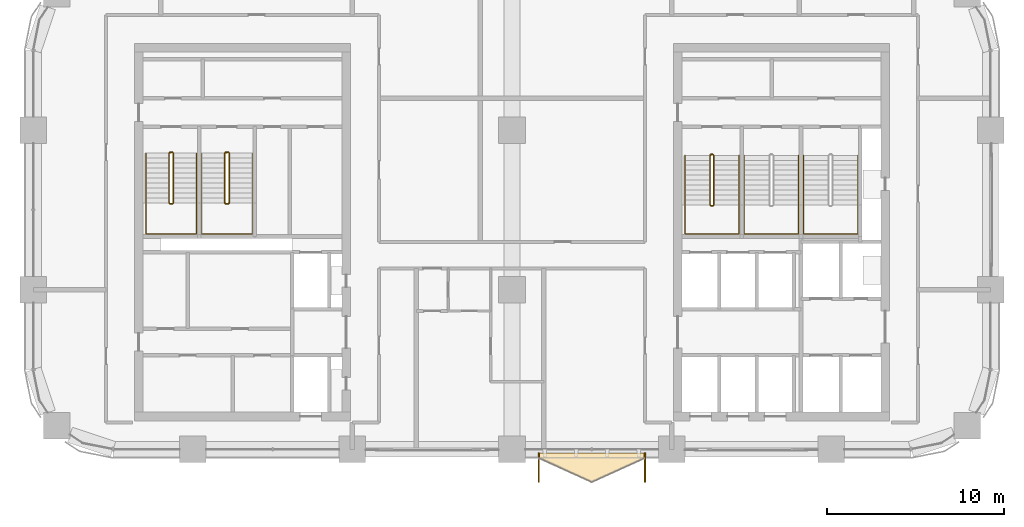
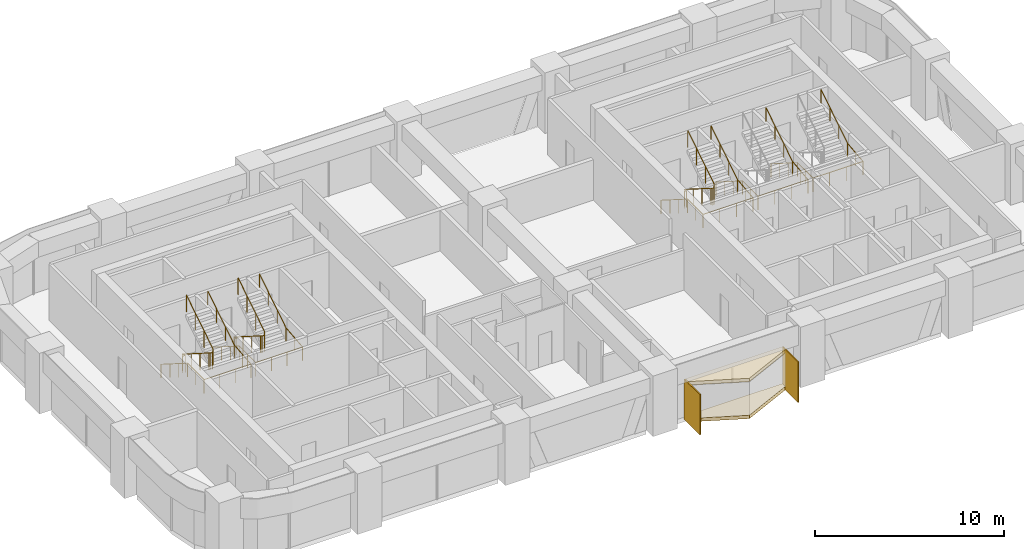
# One storey, part 13 of 14: 8 railings, 4 coverings.
"""IFC4 building model written with IfcOpenShell, lengths in metres."""

from ifc_helpers import new_model, si_unit, direction, frame, origin, origin_2d, place, context, subcontext, project, spatial, polyline, circle, outline, extrude, material, layer, layer_set, type_object, element, save


model = new_model("IFC4")

# Units and contexts
model_context = context("Model", 3, precision=1e-05, world=origin(), true_north=direction((0.0, 1.0)))
body_context = subcontext(model_context, "Body", "Model", "MODEL_VIEW")
ifc_project = project(units=[si_unit("LENGTHUNIT", "METRE"), si_unit("AREAUNIT", "SQUARE_METRE"), si_unit("VOLUMEUNIT", "CUBIC_METRE"), si_unit("PLANEANGLEUNIT", "RADIAN"), si_unit("MASSUNIT", "GRAM", prefix="KILO")], contexts=[model_context])

# Site, building, storey
site_placement = place(None, origin())
site = spatial("IfcSite", under=ifc_project, at=site_placement, CompositionType="ELEMENT")
building_placement = place(site_placement, origin())
building = spatial("IfcBuilding", under=site, at=building_placement, Name="Tessera Arch", CompositionType="ELEMENT")
storey_placement = place(building_placement, frame((0.0, 0.0, 146.60009765625)))
storey = spatial("IfcBuildingStorey", under=building, at=storey_placement, Name="L34", CompositionType="ELEMENT", Elevation=146.60009765625)

# Railings
ifc_material_1 = material(Name="Painted steel balustrade", Category="steel")
railing_type_1 = type_object("IfcRailingType", Name="Stair guard 1100", PredefinedType="GUARDRAIL", material=ifc_material_1)
railing_1_placement = place(storey_placement, frame((38.219970703125, 43.6298828125, 0.0)))
element("IfcRailing", 1, at=railing_1_placement, inside=storey, type_object=railing_type_1, Name="L34 S1a stair guard 1", PredefinedType="GUARDRAIL", context=body_context, shape_type="SweptSolid", body=[
    extrude(circle(Radius=0.02392578125, at=origin_2d()), frame((-0.00390625, 0.0, 1.076171875), z_axis=(1.0, 0.0, 0.0), x_axis=(0.0, 1.0, 0.0)), (0.0, 0.0, 1.0), 0.1181640625),
    extrude(circle(Radius=0.02392578125, at=origin_2d()), frame((0.11279296875, 0.000732421875, 1.0732421875), z_axis=(-0.656319048605, -0.204099216335, 0.726353093426), x_axis=(0.296948579431, -0.954893471113, 0.0)), (0.0, 0.0, 1.0), 0.251953125),
    extrude(circle(Radius=0.02392578125, at=origin_2d()), frame((-0.050048828125, -0.04638671875, 1.251220703125), z_axis=(0.0, -0.844908973607, 0.534910110503), x_axis=(1.0, 0.0, 0.0)), (0.0, 0.0, 1.0), 3.322021484375),
    extrude(circle(Radius=0.02392578125, at=origin_2d()), frame((-0.052978515625, -2.846923828125, 3.02587890625), z_axis=(0.707106781187, -0.707106781187, 0.0), x_axis=(0.707106781187, 0.707106781187, 0.0)), (0.0, 0.0, 1.0), 0.078857421875),
    extrude(circle(Radius=0.02392578125, at=origin_2d()), frame((-0.00390625, -2.89990234375, 3.02587890625), z_axis=(1.0, 0.0, 0.0), x_axis=(0.0, 1.0, 0.0)), (0.0, 0.0, 1.0), 0.1181640625),
    extrude(circle(Radius=0.02392578125, at=origin_2d()), frame((0.109130859375, -2.90087890625, 3.022216796875), z_axis=(0.261041864531, 0.262321481514, 0.929001929653), x_axis=(-0.708833529934, 0.705375805398, 0.0)), (0.0, 0.0, 1.0), 0.19873046875),
    extrude(circle(Radius=0.02392578125, at=origin_2d()), frame((0.159912109375, -2.853271484375, 3.201171875), z_axis=(0.0, 0.844908973607, 0.534910110503), x_axis=(-1.0, 0.0, 0.0)), (0.0, 0.0, 1.0), 3.322021484375),
    extrude(circle(Radius=0.02099609375, at=origin_2d()), origin(), (0.0, 0.0, 1.0), 1.06396484375),
    extrude(circle(Radius=0.02099609375, at=origin_2d()), frame((0.110107421875, 0.0, 0.0)), (0.0, 0.0, 1.0), 1.06396484375),
    extrude(circle(Radius=0.02099609375, at=origin_2d()), frame((-0.050048828125, -0.0498046875, 0.17724609375)), (0.0, 0.0, 1.0), 1.06396484375),
    extrude(circle(Radius=0.02099609375, at=origin_2d()), frame((-0.050048828125, -0.983154296875, 0.76806640625)), (0.0, 0.0, 1.0), 1.06396484375),
    extrude(circle(Radius=0.02099609375, at=origin_2d()), frame((-0.050048828125, -1.91650390625, 1.359130859375)), (0.0, 0.0, 1.0), 1.06396484375),
    extrude(circle(Radius=0.02099609375, at=origin_2d()), frame((-0.050048828125, -2.849853515625, 1.949951171875)), (0.0, 0.0, 1.0), 1.06396484375),
    extrude(circle(Radius=0.02099609375, at=origin_2d()), frame((0.0, -2.89990234375, 1.949951171875)), (0.0, 0.0, 1.0), 1.06396484375),
    extrude(circle(Radius=0.02099609375, at=origin_2d()), frame((0.110107421875, -2.89990234375, 1.949951171875)), (0.0, 0.0, 1.0), 1.06396484375),
    extrude(circle(Radius=0.02099609375, at=origin_2d()), frame((0.159912109375, -2.849853515625, 2.127197265625)), (0.0, 0.0, 1.0), 1.06396484375),
    extrude(circle(Radius=0.02099609375, at=origin_2d()), frame((0.159912109375, -1.91650390625, 2.718017578125)), (0.0, 0.0, 1.0), 1.06396484375),
    extrude(circle(Radius=0.02099609375, at=origin_2d()), frame((0.159912109375, -0.983154296875, 3.30908203125)), (0.0, 0.0, 1.0), 1.06396484375),
    extrude(circle(Radius=0.02099609375, at=origin_2d()), frame((0.159912109375, -0.0498046875, 3.89990234375)), (0.0, 0.0, 1.0), 1.06396484375),
])
railing_2_placement = place(storey_placement, frame((7.699951171875, 43.75, 0.0)))
element("IfcRailing", 2, at=railing_2_placement, inside=storey, type_object=railing_type_1, Name="L34 S2a stair guard 1", PredefinedType="GUARDRAIL", context=body_context, shape_type="SweptSolid", body=[
    extrude(circle(Radius=0.02392578125, at=origin_2d()), frame((-0.00390625, 0.0, 1.076171875), z_axis=(1.0, 0.0, 0.0), x_axis=(0.0, 1.0, 0.0)), (0.0, 0.0, 1.0), 0.158203125),
    extrude(circle(Radius=0.02392578125, at=origin_2d()), frame((0.153076171875, 0.000732421875, 1.073486328125), z_axis=(-0.735936453418, -0.183984113355, 0.651573006319), x_axis=(0.242535625036, -0.970142500145, 0.0)), (0.0, 0.0, 1.0), 0.280029296875),
    extrude(circle(Radius=0.02392578125, at=origin_2d()), frame((-0.050048828125, -0.046630859375, 1.251220703125), z_axis=(0.0, -0.844908973607, 0.534910110503), x_axis=(1.0, 0.0, 0.0)), (0.0, 0.0, 1.0), 3.322021484375),
    extrude(circle(Radius=0.02392578125, at=origin_2d()), frame((-0.052978515625, -2.84716796875, 3.02587890625), z_axis=(0.708833529934, -0.705375805398, 0.0), x_axis=(0.705375805398, 0.708833529934, 0.0)), (0.0, 0.0, 1.0), 0.07861328125),
    extrude(circle(Radius=0.02392578125, at=origin_2d()), frame((-0.00390625, -2.89990234375, 3.02587890625), z_axis=(1.0, 0.0, 0.0), x_axis=(0.0, 1.0, 0.0)), (0.0, 0.0, 1.0), 0.158203125),
    extrude(circle(Radius=0.02392578125, at=origin_2d()), frame((0.149169921875, -2.90087890625, 3.022216796875), z_axis=(0.261129318932, 0.261129318932, 0.929313164433), x_axis=(-0.707106781187, 0.707106781187, 0.0)), (0.0, 0.0, 1.0), 0.19873046875),
    extrude(circle(Radius=0.02392578125, at=origin_2d()), frame((0.199951171875, -2.853515625, 3.201171875), z_axis=(0.0, 0.844908973607, 0.534910110503), x_axis=(-1.0, 0.0, 0.0)), (0.0, 0.0, 1.0), 3.322021484375),
    extrude(circle(Radius=0.02099609375, at=origin_2d()), origin(), (0.0, 0.0, 1.0), 1.06396484375),
    extrude(circle(Radius=0.02099609375, at=origin_2d()), frame((0.150146484375, 0.0, 0.0)), (0.0, 0.0, 1.0), 1.06396484375),
    extrude(circle(Radius=0.02099609375, at=origin_2d()), frame((-0.050048828125, -0.050048828125, 0.17724609375)), (0.0, 0.0, 1.0), 1.06396484375),
    extrude(circle(Radius=0.02099609375, at=origin_2d()), frame((-0.050048828125, -0.9833984375, 0.76806640625)), (0.0, 0.0, 1.0), 1.06396484375),
    extrude(circle(Radius=0.02099609375, at=origin_2d()), frame((-0.050048828125, -1.916748046875, 1.359130859375)), (0.0, 0.0, 1.0), 1.06396484375),
    extrude(circle(Radius=0.02099609375, at=origin_2d()), frame((-0.050048828125, -2.85009765625, 1.949951171875)), (0.0, 0.0, 1.0), 1.06396484375),
    extrude(circle(Radius=0.02099609375, at=origin_2d()), frame((0.0, -2.89990234375, 1.949951171875)), (0.0, 0.0, 1.0), 1.06396484375),
    extrude(circle(Radius=0.02099609375, at=origin_2d()), frame((0.150146484375, -2.89990234375, 1.949951171875)), (0.0, 0.0, 1.0), 1.06396484375),
    extrude(circle(Radius=0.02099609375, at=origin_2d()), frame((0.199951171875, -2.85009765625, 2.127197265625)), (0.0, 0.0, 1.0), 1.06396484375),
    extrude(circle(Radius=0.02099609375, at=origin_2d()), frame((0.199951171875, -1.916748046875, 2.718017578125)), (0.0, 0.0, 1.0), 1.06396484375),
    extrude(circle(Radius=0.02099609375, at=origin_2d()), frame((0.199951171875, -0.9833984375, 3.30908203125)), (0.0, 0.0, 1.0), 1.06396484375),
    extrude(circle(Radius=0.02099609375, at=origin_2d()), frame((0.199951171875, -0.050048828125, 3.89990234375)), (0.0, 0.0, 1.0), 1.06396484375),
])
railing_3_placement = place(storey_placement, frame((10.85009765625, 43.75, 0.0)))
element("IfcRailing", 3, at=railing_3_placement, inside=storey, type_object=railing_type_1, Name="L34 S2b stair guard 1", PredefinedType="GUARDRAIL", context=body_context, shape_type="SweptSolid", body=[
    extrude(circle(Radius=0.02392578125, at=origin_2d()), frame((-0.00390625, 0.0, 1.076171875), z_axis=(1.0, 0.0, 0.0), x_axis=(0.0, 1.0, 0.0)), (0.0, 0.0, 1.0), 0.157958984375),
    extrude(circle(Radius=0.02392578125, at=origin_2d()), frame((0.15283203125, 0.000732421875, 1.073486328125), z_axis=(-0.735524641326, -0.184105679453, 0.652003528208), x_axis=(0.242814311512, -0.970072785993, 0.0)), (0.0, 0.0, 1.0), 0.27978515625),
    extrude(circle(Radius=0.02392578125, at=origin_2d()), frame((-0.050048828125, -0.046630859375, 1.251220703125), z_axis=(0.0, -0.844908973607, 0.534910110503), x_axis=(1.0, 0.0, 0.0)), (0.0, 0.0, 1.0), 3.322021484375),
    extrude(circle(Radius=0.02392578125, at=origin_2d()), frame((-0.052978515625, -2.84716796875, 3.02587890625), z_axis=(0.708833529934, -0.705375805398, 0.0), x_axis=(0.705375805398, 0.708833529934, 0.0)), (0.0, 0.0, 1.0), 0.07861328125),
    extrude(circle(Radius=0.02392578125, at=origin_2d()), frame((-0.00390625, -2.89990234375, 3.02587890625), z_axis=(1.0, 0.0, 0.0), x_axis=(0.0, 1.0, 0.0)), (0.0, 0.0, 1.0), 0.157958984375),
    extrude(circle(Radius=0.02392578125, at=origin_2d()), frame((0.14892578125, -2.90087890625, 3.022216796875), z_axis=(0.262321481514, 0.261041864531, 0.929001929653), x_axis=(-0.705375805398, 0.708833529934, 0.0)), (0.0, 0.0, 1.0), 0.19873046875),
    extrude(circle(Radius=0.02392578125, at=origin_2d()), frame((0.199951171875, -2.853515625, 3.201171875), z_axis=(0.0, 0.844908973607, 0.534910110503), x_axis=(-1.0, 0.0, 0.0)), (0.0, 0.0, 1.0), 3.322021484375),
    extrude(circle(Radius=0.02099609375, at=origin_2d()), origin(), (0.0, 0.0, 1.0), 1.06396484375),
    extrude(circle(Radius=0.02099609375, at=origin_2d()), frame((0.14990234375, 0.0, 0.0)), (0.0, 0.0, 1.0), 1.06396484375),
    extrude(circle(Radius=0.02099609375, at=origin_2d()), frame((-0.050048828125, -0.050048828125, 0.17724609375)), (0.0, 0.0, 1.0), 1.06396484375),
    extrude(circle(Radius=0.02099609375, at=origin_2d()), frame((-0.050048828125, -0.9833984375, 0.76806640625)), (0.0, 0.0, 1.0), 1.06396484375),
    extrude(circle(Radius=0.02099609375, at=origin_2d()), frame((-0.050048828125, -1.916748046875, 1.359130859375)), (0.0, 0.0, 1.0), 1.06396484375),
    extrude(circle(Radius=0.02099609375, at=origin_2d()), frame((-0.050048828125, -2.85009765625, 1.949951171875)), (0.0, 0.0, 1.0), 1.06396484375),
    extrude(circle(Radius=0.02099609375, at=origin_2d()), frame((0.0, -2.89990234375, 1.949951171875)), (0.0, 0.0, 1.0), 1.06396484375),
    extrude(circle(Radius=0.02099609375, at=origin_2d()), frame((0.14990234375, -2.89990234375, 1.949951171875)), (0.0, 0.0, 1.0), 1.06396484375),
    extrude(circle(Radius=0.02099609375, at=origin_2d()), frame((0.199951171875, -2.85009765625, 2.127197265625)), (0.0, 0.0, 1.0), 1.06396484375),
    extrude(circle(Radius=0.02099609375, at=origin_2d()), frame((0.199951171875, -1.916748046875, 2.718017578125)), (0.0, 0.0, 1.0), 1.06396484375),
    extrude(circle(Radius=0.02099609375, at=origin_2d()), frame((0.199951171875, -0.9833984375, 3.30908203125)), (0.0, 0.0, 1.0), 1.06396484375),
    extrude(circle(Radius=0.02099609375, at=origin_2d()), frame((0.199951171875, -0.050048828125, 3.89990234375)), (0.0, 0.0, 1.0), 1.06396484375),
])
ifc_material_2 = material(Name="Painted steel handrail", Category="steel")
railing_type_2 = type_object("IfcRailingType", Name="Stair handrail 900", PredefinedType="HANDRAIL", material=ifc_material_2)
railing_4_placement = place(storey_placement, frame((36.75, 43.580078125, 0.17724609375)))
element("IfcRailing", 4, at=railing_4_placement, inside=storey, type_object=railing_type_2, Name="L34 S1a stair handrail", PredefinedType="HANDRAIL", context=body_context, shape_type="SweptSolid", body=[
    extrude(circle(Radius=0.02392578125, at=origin_2d()), frame((0.0, 0.00341796875, 0.873779296875), z_axis=(0.0, -0.844908973607, 0.534910110503), x_axis=(1.0, 0.0, 0.0)), (0.0, 0.0, 1.0), 3.322021484375),
    extrude(circle(Radius=0.02392578125, at=origin_2d()), frame((0.0, -2.796142578125, 2.6484375), z_axis=(0.0, -1.0, 0.0), x_axis=(1.0, 0.0, 0.0)), (0.0, 0.0, 1.0), 1.63818359375),
    extrude(circle(Radius=0.02392578125, at=origin_2d()), frame((-0.00390625, -4.43017578125, 2.6484375), z_axis=(1.0, 0.0, 0.0), x_axis=(0.0, 1.0, 0.0)), (0.0, 0.0, 1.0), 3.05810546875),
    extrude(circle(Radius=0.02392578125, at=origin_2d()), frame((3.050048828125, -4.43408203125, 2.648193359375), z_axis=(0.0, 0.994140637614, 0.108094369164), x_axis=(-1.0, 0.0, 0.0)), (0.0, 0.0, 1.0), 1.647705078125),
    extrude(circle(Radius=0.02392578125, at=origin_2d()), frame((3.050048828125, -2.803466796875, 2.82373046875), z_axis=(0.0, 0.844908973607, 0.534910110503), x_axis=(-1.0, 0.0, 0.0)), (0.0, 0.0, 1.0), 3.322021484375),
    extrude(circle(Radius=0.02099609375, at=origin_2d()), origin(), (0.0, 0.0, 1.0), 0.86376953125),
    extrude(circle(Radius=0.02099609375, at=origin_2d()), frame((0.0, -0.933349609375, 0.5908203125)), (0.0, 0.0, 1.0), 0.86376953125),
    extrude(circle(Radius=0.02099609375, at=origin_2d()), frame((0.0, -1.86669921875, 1.181884765625)), (0.0, 0.0, 1.0), 0.86376953125),
    extrude(circle(Radius=0.02099609375, at=origin_2d()), frame((0.0, -2.800048828125, 1.772705078125)), (0.0, 0.0, 1.0), 0.86376953125),
    extrude(circle(Radius=0.02099609375, at=origin_2d()), frame((0.0, -3.615234375, 1.772705078125)), (0.0, 0.0, 1.0), 0.86376953125),
    extrude(circle(Radius=0.02099609375, at=origin_2d()), frame((0.0, -4.43017578125, 1.772705078125)), (0.0, 0.0, 1.0), 0.86376953125),
    extrude(circle(Radius=0.02099609375, at=origin_2d()), frame((1.0166015625, -4.43017578125, 1.772705078125)), (0.0, 0.0, 1.0), 0.86376953125),
    extrude(circle(Radius=0.02099609375, at=origin_2d()), frame((2.033447265625, -4.43017578125, 1.772705078125)), (0.0, 0.0, 1.0), 0.86376953125),
    extrude(circle(Radius=0.02099609375, at=origin_2d()), frame((3.050048828125, -4.43017578125, 1.772705078125)), (0.0, 0.0, 1.0), 0.86376953125),
    extrude(circle(Radius=0.02099609375, at=origin_2d()), frame((3.050048828125, -3.615234375, 1.861328125)), (0.0, 0.0, 1.0), 0.86376953125),
    extrude(circle(Radius=0.02099609375, at=origin_2d()), frame((3.050048828125, -2.800048828125, 1.949951171875)), (0.0, 0.0, 1.0), 0.86376953125),
    extrude(circle(Radius=0.02099609375, at=origin_2d()), frame((3.050048828125, -1.86669921875, 2.540771484375)), (0.0, 0.0, 1.0), 0.86376953125),
    extrude(circle(Radius=0.02099609375, at=origin_2d()), frame((3.050048828125, -0.933349609375, 3.1318359375)), (0.0, 0.0, 1.0), 0.86376953125),
    extrude(circle(Radius=0.02099609375, at=origin_2d()), frame((3.050048828125, 0.0, 3.72265625)), (0.0, 0.0, 1.0), 0.86376953125),
])
railing_5_placement = place(storey_placement, frame((40.10009765625, 43.580078125, 0.17724609375)))
element("IfcRailing", 5, at=railing_5_placement, inside=storey, type_object=railing_type_2, Name="L34 S1b stair handrail", PredefinedType="HANDRAIL", context=body_context, shape_type="SweptSolid", body=[
    extrude(circle(Radius=0.02392578125, at=origin_2d()), frame((0.0, 0.00341796875, 0.873779296875), z_axis=(0.0, -0.844908973607, 0.534910110503), x_axis=(1.0, 0.0, 0.0)), (0.0, 0.0, 1.0), 3.322021484375),
    extrude(circle(Radius=0.02392578125, at=origin_2d()), frame((0.0, -2.796142578125, 2.6484375), z_axis=(0.0, -1.0, 0.0), x_axis=(1.0, 0.0, 0.0)), (0.0, 0.0, 1.0), 1.63818359375),
    extrude(circle(Radius=0.02392578125, at=origin_2d()), frame((-0.00390625, -4.43017578125, 2.6484375), z_axis=(1.0, 0.0, 0.0), x_axis=(0.0, 1.0, 0.0)), (0.0, 0.0, 1.0), 3.057861328125),
    extrude(circle(Radius=0.02392578125, at=origin_2d()), frame((3.0498046875, -4.43408203125, 2.648193359375), z_axis=(0.0, 0.994140637614, 0.108094369164), x_axis=(-1.0, 0.0, 0.0)), (0.0, 0.0, 1.0), 1.647705078125),
    extrude(circle(Radius=0.02392578125, at=origin_2d()), frame((3.0498046875, -2.803466796875, 2.82373046875), z_axis=(0.0, 0.844908973607, 0.534910110503), x_axis=(-1.0, 0.0, 0.0)), (0.0, 0.0, 1.0), 3.322021484375),
    extrude(circle(Radius=0.02099609375, at=origin_2d()), origin(), (0.0, 0.0, 1.0), 0.86376953125),
    extrude(circle(Radius=0.02099609375, at=origin_2d()), frame((0.0, -0.933349609375, 0.5908203125)), (0.0, 0.0, 1.0), 0.86376953125),
    extrude(circle(Radius=0.02099609375, at=origin_2d()), frame((0.0, -1.86669921875, 1.181884765625)), (0.0, 0.0, 1.0), 0.86376953125),
    extrude(circle(Radius=0.02099609375, at=origin_2d()), frame((0.0, -2.800048828125, 1.772705078125)), (0.0, 0.0, 1.0), 0.86376953125),
    extrude(circle(Radius=0.02099609375, at=origin_2d()), frame((0.0, -3.615234375, 1.772705078125)), (0.0, 0.0, 1.0), 0.86376953125),
    extrude(circle(Radius=0.02099609375, at=origin_2d()), frame((0.0, -4.43017578125, 1.772705078125)), (0.0, 0.0, 1.0), 0.86376953125),
    extrude(circle(Radius=0.02099609375, at=origin_2d()), frame((1.0166015625, -4.43017578125, 1.772705078125)), (0.0, 0.0, 1.0), 0.86376953125),
    extrude(circle(Radius=0.02099609375, at=origin_2d()), frame((2.033203125, -4.43017578125, 1.772705078125)), (0.0, 0.0, 1.0), 0.86376953125),
    extrude(circle(Radius=0.02099609375, at=origin_2d()), frame((3.0498046875, -4.43017578125, 1.772705078125)), (0.0, 0.0, 1.0), 0.86376953125),
    extrude(circle(Radius=0.02099609375, at=origin_2d()), frame((3.0498046875, -3.615234375, 1.861328125)), (0.0, 0.0, 1.0), 0.86376953125),
    extrude(circle(Radius=0.02099609375, at=origin_2d()), frame((3.0498046875, -2.800048828125, 1.949951171875)), (0.0, 0.0, 1.0), 0.86376953125),
    extrude(circle(Radius=0.02099609375, at=origin_2d()), frame((3.0498046875, -1.86669921875, 2.540771484375)), (0.0, 0.0, 1.0), 0.86376953125),
    extrude(circle(Radius=0.02099609375, at=origin_2d()), frame((3.0498046875, -0.933349609375, 3.1318359375)), (0.0, 0.0, 1.0), 0.86376953125),
    extrude(circle(Radius=0.02099609375, at=origin_2d()), frame((3.0498046875, 0.0, 3.72265625)), (0.0, 0.0, 1.0), 0.86376953125),
])
railing_6_placement = place(storey_placement, frame((43.449951171875, 43.580078125, 0.17724609375)))
element("IfcRailing", 6, at=railing_6_placement, inside=storey, type_object=railing_type_2, Name="L34 S1c stair handrail", PredefinedType="HANDRAIL", context=body_context, shape_type="SweptSolid", body=[
    extrude(circle(Radius=0.02392578125, at=origin_2d()), frame((0.0, 0.00341796875, 0.873779296875), z_axis=(0.0, -0.844908973607, 0.534910110503), x_axis=(1.0, 0.0, 0.0)), (0.0, 0.0, 1.0), 3.322021484375),
    extrude(circle(Radius=0.02392578125, at=origin_2d()), frame((0.0, -2.796142578125, 2.6484375), z_axis=(0.0, -1.0, 0.0), x_axis=(1.0, 0.0, 0.0)), (0.0, 0.0, 1.0), 1.63818359375),
    extrude(circle(Radius=0.02392578125, at=origin_2d()), frame((-0.00390625, -4.43017578125, 2.6484375), z_axis=(1.0, 0.0, 0.0), x_axis=(0.0, 1.0, 0.0)), (0.0, 0.0, 1.0), 3.05810546875),
    extrude(circle(Radius=0.02392578125, at=origin_2d()), frame((3.050048828125, -4.43408203125, 2.648193359375), z_axis=(0.0, 0.994140637614, 0.108094369164), x_axis=(-1.0, 0.0, 0.0)), (0.0, 0.0, 1.0), 1.647705078125),
    extrude(circle(Radius=0.02392578125, at=origin_2d()), frame((3.050048828125, -2.803466796875, 2.82373046875), z_axis=(0.0, 0.844908973607, 0.534910110503), x_axis=(-1.0, 0.0, 0.0)), (0.0, 0.0, 1.0), 3.322021484375),
    extrude(circle(Radius=0.02099609375, at=origin_2d()), origin(), (0.0, 0.0, 1.0), 0.86376953125),
    extrude(circle(Radius=0.02099609375, at=origin_2d()), frame((0.0, -0.933349609375, 0.5908203125)), (0.0, 0.0, 1.0), 0.86376953125),
    extrude(circle(Radius=0.02099609375, at=origin_2d()), frame((0.0, -1.86669921875, 1.181884765625)), (0.0, 0.0, 1.0), 0.86376953125),
    extrude(circle(Radius=0.02099609375, at=origin_2d()), frame((0.0, -2.800048828125, 1.772705078125)), (0.0, 0.0, 1.0), 0.86376953125),
    extrude(circle(Radius=0.02099609375, at=origin_2d()), frame((0.0, -3.615234375, 1.772705078125)), (0.0, 0.0, 1.0), 0.86376953125),
    extrude(circle(Radius=0.02099609375, at=origin_2d()), frame((0.0, -4.43017578125, 1.772705078125)), (0.0, 0.0, 1.0), 0.86376953125),
    extrude(circle(Radius=0.02099609375, at=origin_2d()), frame((1.0166015625, -4.43017578125, 1.772705078125)), (0.0, 0.0, 1.0), 0.86376953125),
    extrude(circle(Radius=0.02099609375, at=origin_2d()), frame((2.033447265625, -4.43017578125, 1.772705078125)), (0.0, 0.0, 1.0), 0.86376953125),
    extrude(circle(Radius=0.02099609375, at=origin_2d()), frame((3.050048828125, -4.43017578125, 1.772705078125)), (0.0, 0.0, 1.0), 0.86376953125),
    extrude(circle(Radius=0.02099609375, at=origin_2d()), frame((3.050048828125, -3.615234375, 1.861328125)), (0.0, 0.0, 1.0), 0.86376953125),
    extrude(circle(Radius=0.02099609375, at=origin_2d()), frame((3.050048828125, -2.800048828125, 1.949951171875)), (0.0, 0.0, 1.0), 0.86376953125),
    extrude(circle(Radius=0.02099609375, at=origin_2d()), frame((3.050048828125, -1.86669921875, 2.540771484375)), (0.0, 0.0, 1.0), 0.86376953125),
    extrude(circle(Radius=0.02099609375, at=origin_2d()), frame((3.050048828125, -0.933349609375, 3.1318359375)), (0.0, 0.0, 1.0), 0.86376953125),
    extrude(circle(Radius=0.02099609375, at=origin_2d()), frame((3.050048828125, 0.0, 3.72265625)), (0.0, 0.0, 1.0), 0.86376953125),
])
railing_7_placement = place(storey_placement, frame((6.35009765625, 43.699951171875, 0.17724609375)))
element("IfcRailing", 7, at=railing_7_placement, inside=storey, type_object=railing_type_2, Name="L34 S2a stair handrail", PredefinedType="HANDRAIL", context=body_context, shape_type="SweptSolid", body=[
    extrude(circle(Radius=0.02392578125, at=origin_2d()), frame((0.0, 0.00341796875, 0.873779296875), z_axis=(0.0, -0.844908973607, 0.534910110503), x_axis=(1.0, 0.0, 0.0)), (0.0, 0.0, 1.0), 3.322021484375),
    extrude(circle(Radius=0.02392578125, at=origin_2d()), frame((0.0, -2.796142578125, 2.6484375), z_axis=(0.0, -1.0, 0.0), x_axis=(1.0, 0.0, 0.0)), (0.0, 0.0, 1.0), 1.758056640625),
    extrude(circle(Radius=0.02392578125, at=origin_2d()), frame((-0.00390625, -4.550048828125, 2.6484375), z_axis=(1.0, 0.0, 0.0), x_axis=(0.0, 1.0, 0.0)), (0.0, 0.0, 1.0), 2.85791015625),
    extrude(circle(Radius=0.02392578125, at=origin_2d()), frame((2.849853515625, -4.553955078125, 2.648193359375), z_axis=(0.0, 0.994909956378, 0.100767944801), x_axis=(-1.0, 0.0, 0.0)), (0.0, 0.0, 1.0), 1.766845703125),
    extrude(circle(Radius=0.02392578125, at=origin_2d()), frame((2.849853515625, -2.803466796875, 2.82373046875), z_axis=(0.0, 0.844908973607, 0.534910110503), x_axis=(-1.0, 0.0, 0.0)), (0.0, 0.0, 1.0), 3.322021484375),
    extrude(circle(Radius=0.02099609375, at=origin_2d()), origin(), (0.0, 0.0, 1.0), 0.86376953125),
    extrude(circle(Radius=0.02099609375, at=origin_2d()), frame((0.0, -0.933349609375, 0.5908203125)), (0.0, 0.0, 1.0), 0.86376953125),
    extrude(circle(Radius=0.02099609375, at=origin_2d()), frame((0.0, -1.86669921875, 1.181884765625)), (0.0, 0.0, 1.0), 0.86376953125),
    extrude(circle(Radius=0.02099609375, at=origin_2d()), frame((0.0, -2.800048828125, 1.772705078125)), (0.0, 0.0, 1.0), 0.86376953125),
    extrude(circle(Radius=0.02099609375, at=origin_2d()), frame((0.0, -3.675048828125, 1.772705078125)), (0.0, 0.0, 1.0), 0.86376953125),
    extrude(circle(Radius=0.02099609375, at=origin_2d()), frame((0.0, -4.550048828125, 1.772705078125)), (0.0, 0.0, 1.0), 0.86376953125),
    extrude(circle(Radius=0.02099609375, at=origin_2d()), frame((0.949951171875, -4.550048828125, 1.772705078125)), (0.0, 0.0, 1.0), 0.86376953125),
    extrude(circle(Radius=0.02099609375, at=origin_2d()), frame((1.89990234375, -4.550048828125, 1.772705078125)), (0.0, 0.0, 1.0), 0.86376953125),
    extrude(circle(Radius=0.02099609375, at=origin_2d()), frame((2.849853515625, -4.550048828125, 1.772705078125)), (0.0, 0.0, 1.0), 0.86376953125),
    extrude(circle(Radius=0.02099609375, at=origin_2d()), frame((2.849853515625, -3.675048828125, 1.861328125)), (0.0, 0.0, 1.0), 0.86376953125),
    extrude(circle(Radius=0.02099609375, at=origin_2d()), frame((2.849853515625, -2.800048828125, 1.949951171875)), (0.0, 0.0, 1.0), 0.86376953125),
    extrude(circle(Radius=0.02099609375, at=origin_2d()), frame((2.849853515625, -1.86669921875, 2.540771484375)), (0.0, 0.0, 1.0), 0.86376953125),
    extrude(circle(Radius=0.02099609375, at=origin_2d()), frame((2.849853515625, -0.933349609375, 3.1318359375)), (0.0, 0.0, 1.0), 0.86376953125),
    extrude(circle(Radius=0.02099609375, at=origin_2d()), frame((2.849853515625, 0.0, 3.72265625)), (0.0, 0.0, 1.0), 0.86376953125),
])
railing_8_placement = place(storey_placement, frame((9.5, 43.699951171875, 0.17724609375)))
element("IfcRailing", 8, at=railing_8_placement, inside=storey, type_object=railing_type_2, Name="L34 S2b stair handrail", PredefinedType="HANDRAIL", context=body_context, shape_type="SweptSolid", body=[
    extrude(circle(Radius=0.02392578125, at=origin_2d()), frame((0.0, 0.00341796875, 0.873779296875), z_axis=(0.0, -0.844908973607, 0.534910110503), x_axis=(1.0, 0.0, 0.0)), (0.0, 0.0, 1.0), 3.322021484375),
    extrude(circle(Radius=0.02392578125, at=origin_2d()), frame((0.0, -2.796142578125, 2.6484375), z_axis=(0.0, -1.0, 0.0), x_axis=(1.0, 0.0, 0.0)), (0.0, 0.0, 1.0), 1.758056640625),
    extrude(circle(Radius=0.02392578125, at=origin_2d()), frame((-0.00390625, -4.550048828125, 2.6484375), z_axis=(1.0, 0.0, 0.0), x_axis=(0.0, 1.0, 0.0)), (0.0, 0.0, 1.0), 2.858154296875),
    extrude(circle(Radius=0.02392578125, at=origin_2d()), frame((2.85009765625, -4.553955078125, 2.648193359375), z_axis=(0.0, 0.994909956378, 0.100767944801), x_axis=(-1.0, 0.0, 0.0)), (0.0, 0.0, 1.0), 1.766845703125),
    extrude(circle(Radius=0.02392578125, at=origin_2d()), frame((2.85009765625, -2.803466796875, 2.82373046875), z_axis=(0.0, 0.844908973607, 0.534910110503), x_axis=(-1.0, 0.0, 0.0)), (0.0, 0.0, 1.0), 3.322021484375),
    extrude(circle(Radius=0.02099609375, at=origin_2d()), origin(), (0.0, 0.0, 1.0), 0.86376953125),
    extrude(circle(Radius=0.02099609375, at=origin_2d()), frame((0.0, -0.933349609375, 0.5908203125)), (0.0, 0.0, 1.0), 0.86376953125),
    extrude(circle(Radius=0.02099609375, at=origin_2d()), frame((0.0, -1.86669921875, 1.181884765625)), (0.0, 0.0, 1.0), 0.86376953125),
    extrude(circle(Radius=0.02099609375, at=origin_2d()), frame((0.0, -2.800048828125, 1.772705078125)), (0.0, 0.0, 1.0), 0.86376953125),
    extrude(circle(Radius=0.02099609375, at=origin_2d()), frame((0.0, -3.675048828125, 1.772705078125)), (0.0, 0.0, 1.0), 0.86376953125),
    extrude(circle(Radius=0.02099609375, at=origin_2d()), frame((0.0, -4.550048828125, 1.772705078125)), (0.0, 0.0, 1.0), 0.86376953125),
    extrude(circle(Radius=0.02099609375, at=origin_2d()), frame((0.949951171875, -4.550048828125, 1.772705078125)), (0.0, 0.0, 1.0), 0.86376953125),
    extrude(circle(Radius=0.02099609375, at=origin_2d()), frame((1.900146484375, -4.550048828125, 1.772705078125)), (0.0, 0.0, 1.0), 0.86376953125),
    extrude(circle(Radius=0.02099609375, at=origin_2d()), frame((2.85009765625, -4.550048828125, 1.772705078125)), (0.0, 0.0, 1.0), 0.86376953125),
    extrude(circle(Radius=0.02099609375, at=origin_2d()), frame((2.85009765625, -3.675048828125, 1.861328125)), (0.0, 0.0, 1.0), 0.86376953125),
    extrude(circle(Radius=0.02099609375, at=origin_2d()), frame((2.85009765625, -2.800048828125, 1.949951171875)), (0.0, 0.0, 1.0), 0.86376953125),
    extrude(circle(Radius=0.02099609375, at=origin_2d()), frame((2.85009765625, -1.86669921875, 2.540771484375)), (0.0, 0.0, 1.0), 0.86376953125),
    extrude(circle(Radius=0.02099609375, at=origin_2d()), frame((2.85009765625, -0.933349609375, 3.1318359375)), (0.0, 0.0, 1.0), 0.86376953125),
    extrude(circle(Radius=0.02099609375, at=origin_2d()), frame((2.85009765625, 0.0, 3.72265625)), (0.0, 0.0, 1.0), 0.86376953125),
])

# Coverings
ifc_material_3 = material(Name="Anodised aluminium pale metal", Category="aluminium")
ifc_layer_1 = layer(ifc_material_3, 0.080078125)
ifc_layer_set_1 = layer_set([ifc_layer_1], Name="Window box cheek")
covering_type_1 = type_object("IfcCoveringType", Name="Window box cheek", PredefinedType="CLADDING", material=ifc_layer_set_1)
covering_1_placement = place(storey_placement, origin())
element("IfcCovering", 9, at=covering_1_placement, inside=storey, type_object=covering_type_1, Name="Window box S27.0/3.0 2x1 cheek", PredefinedType="CLADDING", context=body_context, shape_type="SweptSolid", body=[
    extrude(outline(polyline([(28.469970703125, 25.14990234375), (28.550048828125, 25.14990234375), (28.550048828125, 26.800048828125), (28.469970703125, 26.800048828125), (28.469970703125, 25.14990234375)])), origin(), (0.0, 0.0, 1.0), 2.599853515625),
])
covering_2_placement = place(storey_placement, origin())
element("IfcCovering", 10, at=covering_2_placement, inside=storey, type_object=covering_type_1, Name="Window box S27.0/3.0 2x1 cheek", PredefinedType="CLADDING", context=body_context, shape_type="SweptSolid", body=[
    extrude(outline(polyline([(34.449951171875, 25.14990234375), (34.530029296875, 25.14990234375), (34.530029296875, 26.800048828125), (34.449951171875, 26.800048828125), (34.449951171875, 25.14990234375)])), origin(), (0.0, 0.0, 1.0), 2.599853515625),
])
ifc_material_4 = material(Name="Anodised aluminium pale metal", Category="aluminium")
ifc_layer_2 = layer(ifc_material_4, 0.219970703125)
ifc_layer_set_2 = layer_set([ifc_layer_2], Name="Window box frame plate pale metal")
covering_type_2 = type_object("IfcCoveringType", Name="Window box frame plate pale metal", PredefinedType="CLADDING", material=ifc_layer_set_2)
for number, where, name in (
    (11, (0.0, 0.0, 0.0), "Window box S27.0/3.0 2x1 floor"),
    (12, (0.0, 0.0, 2.3798828125), "Window box S27.0/3.0 2x1 roof"),
):
    element("IfcCovering", number, at=place(storey_placement, frame(where)), inside=storey, type_object=covering_type_2, Name=name, PredefinedType="CLADDING", context=body_context, shape_type="SweptSolid", body=[
        extrude(outline(polyline([(28.550048828125, 26.489990234375), (31.5, 25.14990234375), (34.449951171875, 26.489990234375), (34.449951171875, 26.800048828125), (28.550048828125, 26.800048828125), (28.550048828125, 26.489990234375)])), origin(), (0.0, 0.0, 1.0), 0.219970703125),
    ])

save(model, "model.ifc")
